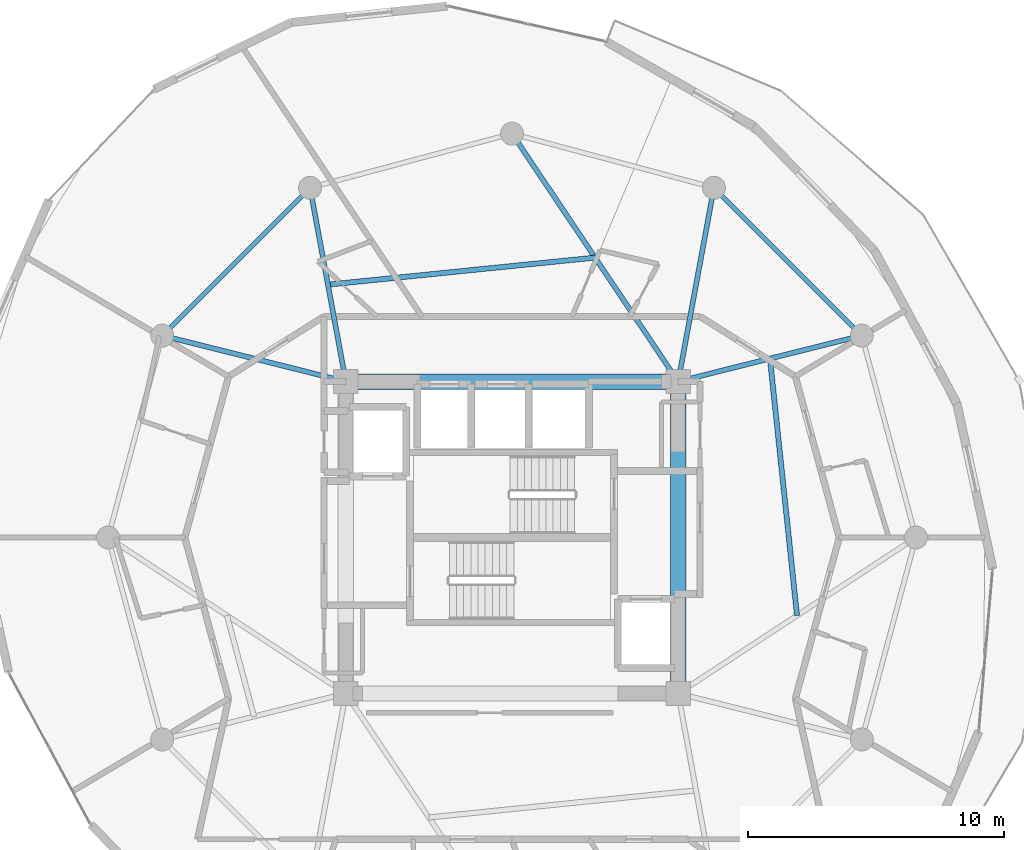
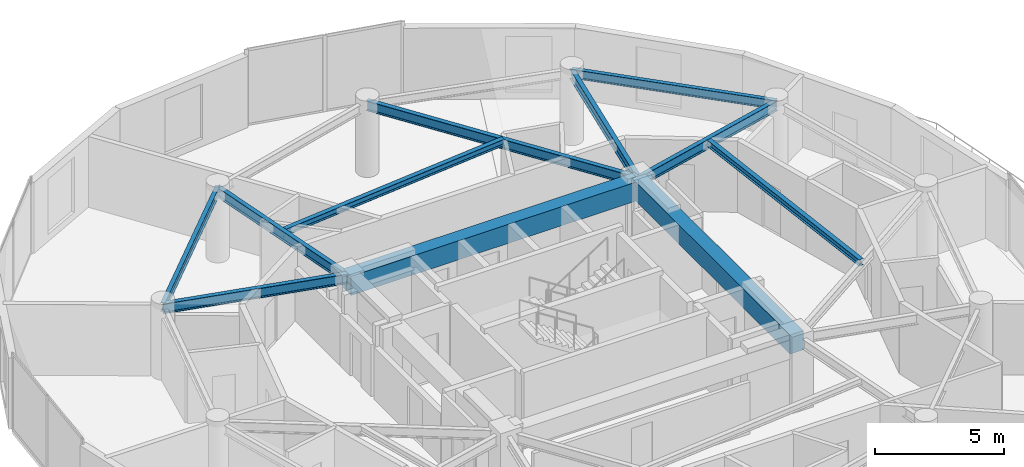
# One storey, part 10 of 23: 11 beams.
"""IFC4 building model written with IfcOpenShell, lengths in metres."""

from ifc_helpers import new_model, si_unit, direction, frame, origin, origin_2d, place, context, subcontext, project, spatial, rectangle, i_section, extrude, material, material_profile, profile_set, type_object, element, save


model = new_model("IFC4")

# Units and contexts
model_context = context("Model", 3, precision=1e-05, world=origin(), true_north=direction((0.0, 1.0)))
body_context = subcontext(model_context, "Body", "Model", "MODEL_VIEW")
ifc_project = project(units=[si_unit("LENGTHUNIT", "METRE"), si_unit("AREAUNIT", "SQUARE_METRE"), si_unit("VOLUMEUNIT", "CUBIC_METRE"), si_unit("PLANEANGLEUNIT", "RADIAN"), si_unit("MASSUNIT", "GRAM", prefix="KILO")], contexts=[model_context])

# Site, building, storey
site_placement = place(None, origin())
site = spatial("IfcSite", under=ifc_project, at=site_placement, CompositionType="ELEMENT")
building_placement = place(site_placement, origin())
building = spatial("IfcBuilding", under=site, at=building_placement, Name="Solvirekh Grand Hotel", CompositionType="ELEMENT")
storey_placement = place(building_placement, frame((0.0, 0.0, 176.800048828125)))
storey = spatial("IfcBuildingStorey", under=building, at=storey_placement, Name="L45", CompositionType="ELEMENT", Elevation=176.800048828125)

# Beams
ifc_material_1 = material(Name="Concrete C50/60", Category="concrete")
ifc_material_profile_1 = material_profile(ifc_material_1, rectangle(XDim=0.60009765625, YDim=0.89990234375, at=origin_2d()), Name="RC BEAM 600X900")
ifc_profile_set_1 = profile_set([ifc_material_profile_1], Name="Concrete C50/60")
beam_type_1 = type_object("IfcBeamType", Name="Beam_Core_RC900", PredefinedType="BEAM", material=ifc_profile_set_1)
beam_1_placement = place(storey_placement, frame((6.5, -6.10009765625, 2.909912109375), z_axis=(0.0, 1.0, 0.0), x_axis=(-1.0, 0.0, 0.0)))
element("IfcBeam", 1, at=beam_1_placement, inside=storey, type_object=beam_type_1, Name="L45 core coupling ring beam 2", PredefinedType="BEAM", context=body_context, shape_type="SweptSolid", body=[
    extrude(rectangle(XDim=0.60009765625, YDim=0.89990234375, at=origin_2d()), origin(), (0.0, 0.0, 1.0), 12.2001953125),
])
beam_2_placement = place(storey_placement, frame((6.5, 6.10009765625, 2.909912109375), z_axis=(-1.0, 0.0, 0.0), x_axis=(0.0, -1.0, 0.0)))
element("IfcBeam", 2, at=beam_2_placement, inside=storey, type_object=beam_type_1, Name="L45 core coupling ring beam 3", PredefinedType="BEAM", context=body_context, shape_type="SweptSolid", body=[
    extrude(rectangle(XDim=0.60009765625, YDim=0.89990234375, at=origin_2d()), origin(), (0.0, 0.0, 1.0), 13.0),
])
ifc_material_2 = material(Name="Steel S355", Category="steel")
ifc_material_profile_2 = material_profile(ifc_material_2, i_section(OverallWidth=0.194091796875, OverallDepth=0.468994140625, WebThickness=0.010986328125, FlangeThickness=0.01904296875, FilletRadius=0.012939453125, at=origin_2d()), Name="W460X106")
ifc_profile_set_2 = profile_set([ifc_material_profile_2], Name="Steel S355")
beam_type_2 = type_object("IfcBeamType", Name="Beam_Radial_W460H", PredefinedType="BEAM", material=ifc_profile_set_2)
beam_3_placement = place(storey_placement, frame((6.5, 6.10009765625, 3.125), z_axis=(0.970014367692, 0.243047580675, 0.0), x_axis=(-0.243047580675, 0.970014367692, 0.0)))
element("IfcBeam", 3, at=beam_3_placement, inside=storey, type_object=beam_type_2, Name="L45 radial floor beam R02", PredefinedType="BEAM", context=body_context, shape_type="SweptSolid", body=[
    extrude(i_section(OverallWidth=0.194091796875, OverallDepth=0.468994140625, WebThickness=0.010986328125, FlangeThickness=0.01904296875, FilletRadius=0.012939453125, at=origin_2d()), origin(), (0.0, 0.0, 1.0), 7.4052734375),
])
beam_4_placement = place(storey_placement, frame((6.5, 6.10009765625, 3.125), z_axis=(0.181542769111, 0.983383049978, 0.0), x_axis=(-0.983383049978, 0.181542769111, 0.0)))
element("IfcBeam", 4, at=beam_4_placement, inside=storey, type_object=beam_type_2, Name="L45 radial floor beam R03", PredefinedType="BEAM", context=body_context, shape_type="SweptSolid", body=[
    extrude(i_section(OverallWidth=0.194091796875, OverallDepth=0.468994140625, WebThickness=0.010986328125, FlangeThickness=0.01904296875, FilletRadius=0.012939453125, at=origin_2d()), origin(), (0.0, 0.0, 1.0), 7.711181640625),
])
beam_5_placement = place(storey_placement, frame((6.5, 6.10009765625, 3.125), z_axis=(-0.556676926176, 0.830729077295, 0.0), x_axis=(-0.830729077295, -0.556676926176, 0.0)))
element("IfcBeam", 5, at=beam_5_placement, inside=storey, type_object=beam_type_2, Name="L45 radial floor beam R04", PredefinedType="BEAM", context=body_context, shape_type="SweptSolid", body=[
    extrude(i_section(OverallWidth=0.194091796875, OverallDepth=0.468994140625, WebThickness=0.010986328125, FlangeThickness=0.01904296875, FilletRadius=0.012939453125, at=origin_2d()), origin(), (0.0, 0.0, 1.0), 11.676513671875),
])
beam_6_placement = place(storey_placement, frame((-6.5, 6.10009765625, 3.125), z_axis=(-0.181542769111, 0.983383049978, 0.0), x_axis=(-0.983383049978, -0.181542769111, 0.0)))
element("IfcBeam", 6, at=beam_6_placement, inside=storey, type_object=beam_type_2, Name="L45 radial floor beam R05", PredefinedType="BEAM", context=body_context, shape_type="SweptSolid", body=[
    extrude(i_section(OverallWidth=0.194091796875, OverallDepth=0.468994140625, WebThickness=0.010986328125, FlangeThickness=0.01904296875, FilletRadius=0.012939453125, at=origin_2d()), origin(), (0.0, 0.0, 1.0), 7.711181640625),
])
beam_7_placement = place(storey_placement, frame((-6.5, 6.10009765625, 3.125), z_axis=(-0.970014367692, 0.243047580675, 0.0), x_axis=(-0.243047580675, -0.970014367692, 0.0)))
element("IfcBeam", 7, at=beam_7_placement, inside=storey, type_object=beam_type_2, Name="L45 radial floor beam R06", PredefinedType="BEAM", context=body_context, shape_type="SweptSolid", body=[
    extrude(i_section(OverallWidth=0.194091796875, OverallDepth=0.468994140625, WebThickness=0.010986328125, FlangeThickness=0.01904296875, FilletRadius=0.012939453125, at=origin_2d()), origin(), (0.0, 0.0, 1.0), 7.4052734375),
])
ifc_material_profile_3 = material_profile(ifc_material_2, i_section(OverallWidth=0.202880859375, OverallDepth=0.302978515625, WebThickness=0.008056640625, FlangeThickness=0.012939453125, FilletRadius=0.010009765625, at=origin_2d()), Name="W310X60")
ifc_profile_set_3 = profile_set([ifc_material_profile_3], Name="Steel S355")
beam_type_3 = type_object("IfcBeamType", Name="Joist_Floor_W310", PredefinedType="JOIST", material=ifc_profile_set_3)
beam_8_placement = place(storey_placement, frame((11.14990234375, -3.050048828125, 3.2080078125), z_axis=(-0.1047765874, 0.994495785176, 0.0), x_axis=(-0.994495785176, -0.1047765874, 0.0)))
element("IfcBeam", 8, at=beam_8_placement, inside=storey, type_object=beam_type_3, Name="L45 secondary composite floor joist 1", PredefinedType="JOIST", context=body_context, shape_type="SweptSolid", body=[
    extrude(i_section(OverallWidth=0.202880859375, OverallDepth=0.302978515625, WebThickness=0.008056640625, FlangeThickness=0.012939453125, FilletRadius=0.010009765625, at=origin_2d()), origin(), (0.0, 0.0, 1.0), 10.105712890625),
])
beam_9_placement = place(storey_placement, frame((3.25, 10.949951171875, 3.2080078125), z_axis=(-0.994915167737, -0.100716478326, 0.0), x_axis=(0.100716478326, -0.994915167737, 0.0)))
element("IfcBeam", 9, at=beam_9_placement, inside=storey, type_object=beam_type_3, Name="L45 secondary composite floor joist 4", PredefinedType="JOIST", context=body_context, shape_type="SweptSolid", body=[
    extrude(i_section(OverallWidth=0.202880859375, OverallDepth=0.302978515625, WebThickness=0.008056640625, FlangeThickness=0.012939453125, FilletRadius=0.010009765625, at=origin_2d()), origin(), (0.0, 0.0, 1.0), 10.50341796875),
])
ifc_material_profile_4 = material_profile(ifc_material_2, i_section(OverallWidth=0.180908203125, OverallDepth=0.4169921875, WebThickness=0.010009765625, FlangeThickness=0.01611328125, FilletRadius=0.011962890625, at=origin_2d()), Name="W410X85")
ifc_profile_set_4 = profile_set([ifc_material_profile_4], Name="Steel S355")
beam_type_4 = type_object("IfcBeamType", Name="Spandrel_Ring_W410", PredefinedType="SPANDREL", material=ifc_profile_set_4)
for number, where, z_axis, x_axis, name in (
    (10, (13.68310546875, 7.89990234375, 3.15185546875), (-0.707106781187, 0.707106781187, 0.0), (-0.707106781187, -0.707106781187, 0.0), "L45 perimeter spandrel beam 2"),
    (11, (-7.89990234375, 13.68310546875, 3.15185546875), (-0.707106781187, -0.707106781187, 0.0), (0.707106781187, -0.707106781187, 0.0), "L45 perimeter spandrel beam 5"),
):
    element("IfcBeam", number, at=place(storey_placement, frame(where, z_axis=z_axis, x_axis=x_axis)), inside=storey, type_object=beam_type_4, Name=name, PredefinedType="SPANDREL", context=body_context, shape_type="SweptSolid", body=[
        extrude(i_section(OverallWidth=0.180908203125, OverallDepth=0.4169921875, WebThickness=0.010009765625, FlangeThickness=0.01611328125, FilletRadius=0.011962890625, at=origin_2d()), origin(), (0.0, 0.0, 1.0), 8.1787109375),
    ])

save(model, "model.ifc")
